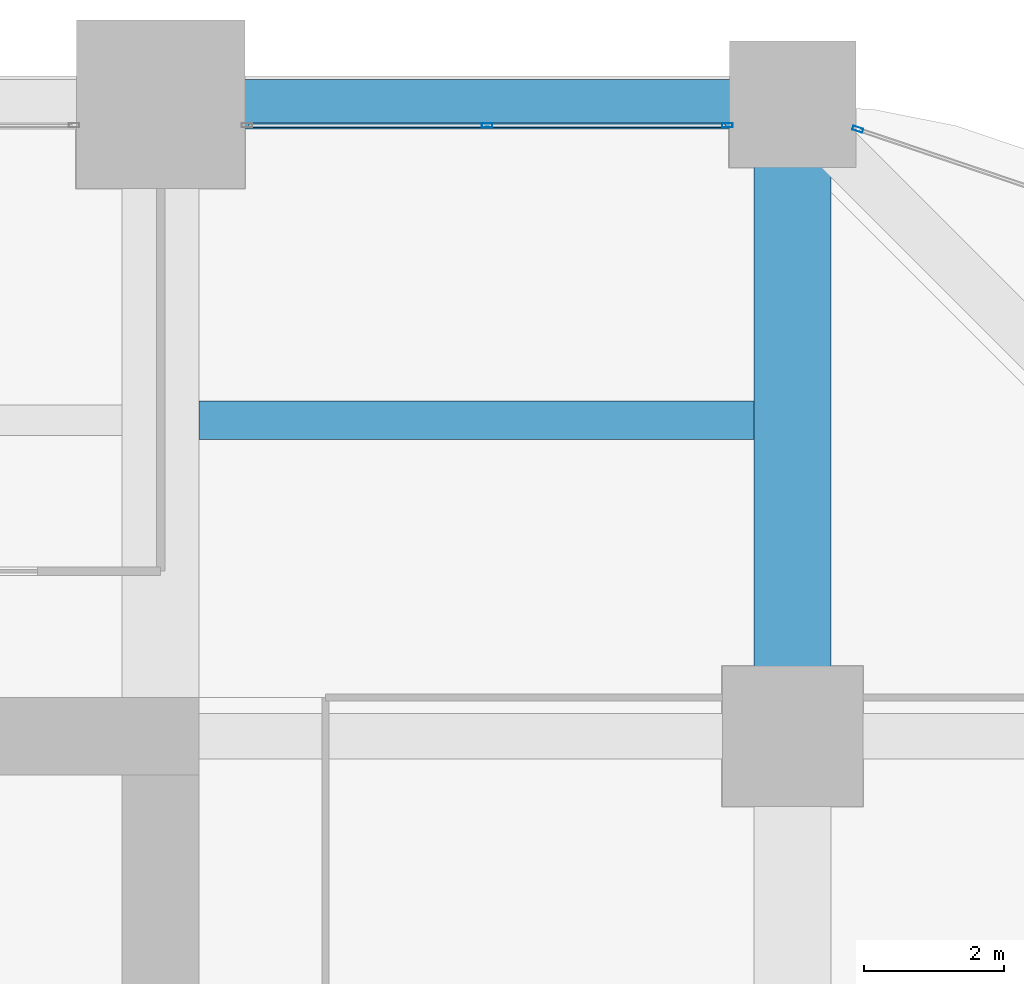
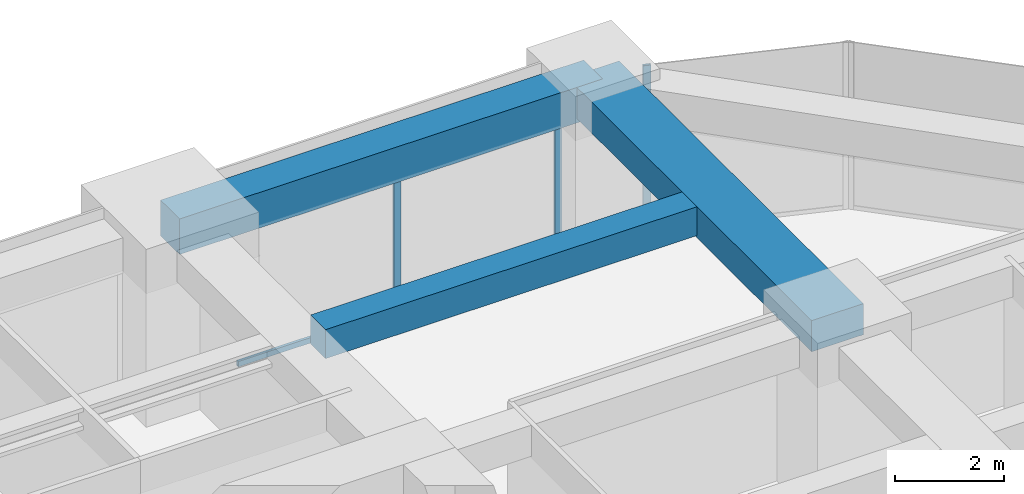
# One storey, part 33 of 41: 4 members, 3 beams, 2 elements without a shape of their own.
"""IFC4 building model written with IfcOpenShell, lengths in metres."""

from ifc_helpers import new_model, si_unit, direction, frame, origin, origin_2d, place, context, subcontext, project, spatial, rectangle, hollow_rectangle, extrude, material, material_profile, profile_set, type_object, element, aggregate, save


model = new_model("IFC4")

# Units and contexts
model_context = context("Model", 3, precision=1e-05, world=origin(), true_north=direction((0.0, 1.0)))
body_context = subcontext(model_context, "Body", "Model", "MODEL_VIEW")
ifc_project = project(units=[si_unit("LENGTHUNIT", "METRE"), si_unit("AREAUNIT", "SQUARE_METRE"), si_unit("VOLUMEUNIT", "CUBIC_METRE"), si_unit("PLANEANGLEUNIT", "RADIAN"), si_unit("MASSUNIT", "GRAM", prefix="KILO")], contexts=[model_context])

# Site, building, storey
site_placement = place(None, origin())
site = spatial("IfcSite", under=ifc_project, at=site_placement, CompositionType="ELEMENT")
building_placement = place(site_placement, origin())
building = spatial("IfcBuilding", under=site, at=building_placement, Name="Zorevar Civic Tower", CompositionType="ELEMENT")
storey_placement = place(building_placement, frame((0.0, 0.0, 109.0)))
storey = spatial("IfcBuildingStorey", under=building, at=storey_placement, Name="L26", CompositionType="ELEMENT", Elevation=109.0)

# Beams
ifc_material_1 = material(Name="Concrete C50/60", Category="concrete")
ifc_material_profile_1 = material_profile(ifc_material_1, rectangle(XDim=1.10009765625, YDim=0.699951171875, at=origin_2d()), Name="RC 1100x700")
ifc_profile_set_1 = profile_set([ifc_material_profile_1], Name="Concrete C50/60")
beam_type_1 = type_object("IfcBeamType", Name="Beam RC 1100x700", PredefinedType="BEAM", material=ifc_profile_set_1)
beam_1_placement = place(storey_placement, frame((54.0, 36.0, 3.39990234375), z_axis=(0.0, 1.0, 0.0), x_axis=(-1.0, 0.0, 0.0)))
element("IfcBeam", 1, at=beam_1_placement, inside=storey, type_object=beam_type_1, Name="Girder L27", PredefinedType="BEAM", context=body_context, shape_type="SweptSolid", body=[
    extrude(rectangle(XDim=1.10009765625, YDim=0.699951171875, at=origin_2d()), origin(), (0.0, 0.0, 1.0), 9.0),
])
ifc_material_2 = material(Name="Concrete C50/60", Category="concrete")
ifc_material_profile_2 = material_profile(ifc_material_2, rectangle(XDim=0.550048828125, YDim=0.64990234375, at=origin_2d()), Name="RC 550x650")
ifc_profile_set_2 = profile_set([ifc_material_profile_2], Name="Concrete C50/60")
beam_type_2 = type_object("IfcBeamType", Name="Beam RC 550x650", PredefinedType="BEAM", material=ifc_profile_set_2)
beam_2_placement = place(storey_placement, frame((45.550048828125, 40.5, 3.425048828125), z_axis=(1.0, 0.0, 0.0), x_axis=(0.0, 1.0, 0.0)))
element("IfcBeam", 2, at=beam_2_placement, inside=storey, type_object=beam_type_2, Name="Secondary beam L27", PredefinedType="BEAM", context=body_context, shape_type="SweptSolid", body=[
    extrude(rectangle(XDim=0.550048828125, YDim=0.64990234375, at=origin_2d()), origin(), (0.0, 0.0, 1.0), 7.89990234375),
])

# Curtain wall, members
ifc_material_3 = material(Name="Dark grey solar-control glass in black aluminium frame", Category="aluminium")
curtain_wall_type = type_object("IfcCurtainWallType", Name="Curtain wall CW3 mid zone", PredefinedType="NOTDEFINED", material=ifc_material_3)
curtain_wall_1_placement = place(storey_placement, origin())
curtain_wall_1 = element("IfcCurtainWall", 3, at=curtain_wall_1_placement, inside=storey, type_object=curtain_wall_type, Name="CW3 L26", PredefinedType="NOTDEFINED")
ifc_material_4 = material(Name="Aluminium, black anodised", Category="aluminium")
ifc_material_profile_3 = material_profile(ifc_material_4, hollow_rectangle(XDim=0.06005859375, YDim=0.14990234375, WallThickness=0.00390625, at=origin_2d()), Name="AL 150x60x4")
ifc_profile_set_3 = profile_set([ifc_material_profile_3], Name="Aluminium, black anodised")
member_type_1 = type_object("IfcMemberType", Name="CW3 mullion AL 150x60x4", PredefinedType="MULLION", material=ifc_profile_set_3)
member_1_placement = place(storey_placement, frame((49.64990234375, 44.699951171875, 0.06005859375), z_axis=(0.0, 0.0, 1.0), x_axis=(0.0, 1.0, 0.0)))
member_1 = element("IfcMember", 4, at=member_1_placement, type_object=member_type_1, Name="CW3 mullion 2", PredefinedType="MULLION", context=body_context, shape_type="SweptSolid", body=[
    extrude(hollow_rectangle(XDim=0.06005859375, YDim=0.14990234375, WallThickness=0.00390625, at=origin_2d()), origin(), (0.0, 0.0, 1.0), 2.889892578125),
])
member_2_placement = place(storey_placement, frame((53.070068359375, 44.699951171875, 0.0), z_axis=(0.0, 0.0, 1.0), x_axis=(0.0, 1.0, 0.0)))
member_2 = element("IfcMember", 5, at=member_2_placement, type_object=member_type_1, Name="CW3 mullion 3", PredefinedType="MULLION", context=body_context, shape_type="SweptSolid", body=[
    extrude(hollow_rectangle(XDim=0.06005859375, YDim=0.14990234375, WallThickness=0.00390625, at=origin_2d()), origin(), (0.0, 0.0, 1.0), 2.949951171875),
])

# Curtain wall, member
curtain_wall_2_placement = place(storey_placement, origin())
curtain_wall_2 = element("IfcCurtainWall", 6, at=curtain_wall_2_placement, inside=storey, type_object=curtain_wall_type, Name="CW3 L26", PredefinedType="NOTDEFINED")
member_3_placement = place(storey_placement, frame((54.928466796875, 44.643798828125, 0.0), z_axis=(0.0, 0.0, 1.0), x_axis=(-0.319412525043, -0.947615765406, 0.0)))
member_3 = element("IfcMember", 7, at=member_3_placement, type_object=member_type_1, Name="CW3 mullion 2", PredefinedType="MULLION", context=body_context, shape_type="SweptSolid", body=[
    extrude(hollow_rectangle(XDim=0.06005859375, YDim=0.14990234375, WallThickness=0.00390625, at=origin_2d()), origin(), (0.0, 0.0, 1.0), 3.75),
])
aggregate(curtain_wall_2, [member_3])

# Member
ifc_material_5 = material(Name="Aluminium, black anodised", Category="aluminium")
ifc_material_profile_4 = material_profile(ifc_material_5, hollow_rectangle(XDim=0.06005859375, YDim=0.1201171875, WallThickness=0.0029296875, at=origin_2d()), Name="AL 120x60x3")
ifc_profile_set_4 = profile_set([ifc_material_profile_4], Name="Aluminium, black anodised")
member_type_2 = type_object("IfcMemberType", Name="CW3 transom AL 120x60x3", PredefinedType="USERDEFINED", material=ifc_profile_set_4)
member_4_placement = place(storey_placement, frame((46.260009765625, 44.699951171875, 0.030029296875), z_axis=(1.0, 0.0, 0.0), x_axis=(0.0, 1.0, 0.0)))
member_4 = element("IfcMember", 8, at=member_4_placement, type_object=member_type_2, Name="CW3 sill transom", ObjectType="TRANSOM", PredefinedType="USERDEFINED", context=body_context, shape_type="SweptSolid", body=[
    extrude(hollow_rectangle(XDim=0.06005859375, YDim=0.1201171875, WallThickness=0.0029296875, at=origin_2d()), origin(), (0.0, 0.0, 1.0), 6.780029296875),
])

aggregate(curtain_wall_1, [member_1, member_2, member_4])

# Beam
ifc_material_6 = material(Name="Concrete C50/60", Category="concrete")
ifc_material_profile_5 = material_profile(ifc_material_6, rectangle(XDim=0.699951171875, YDim=0.800048828125, at=origin_2d()), Name="RC 700x800")
ifc_profile_set_5 = profile_set([ifc_material_profile_5], Name="Concrete C50/60")
beam_type_3 = type_object("IfcBeamType", Name="Edge beam RC 700x800", PredefinedType="SPANDREL", material=ifc_profile_set_5)
beam_3_placement = place(storey_placement, frame((45.0, 45.0, 3.35009765625), z_axis=(1.0, 0.0, 0.0), x_axis=(0.0, 1.0, 0.0)))
element("IfcBeam", 9, at=beam_3_placement, inside=storey, type_object=beam_type_3, Name="Edge beam L27", PredefinedType="SPANDREL", context=body_context, shape_type="SweptSolid", body=[
    extrude(rectangle(XDim=0.699951171875, YDim=0.800048828125, at=origin_2d()), origin(), (0.0, 0.0, 1.0), 9.0),
])

save(model, "model.ifc")
